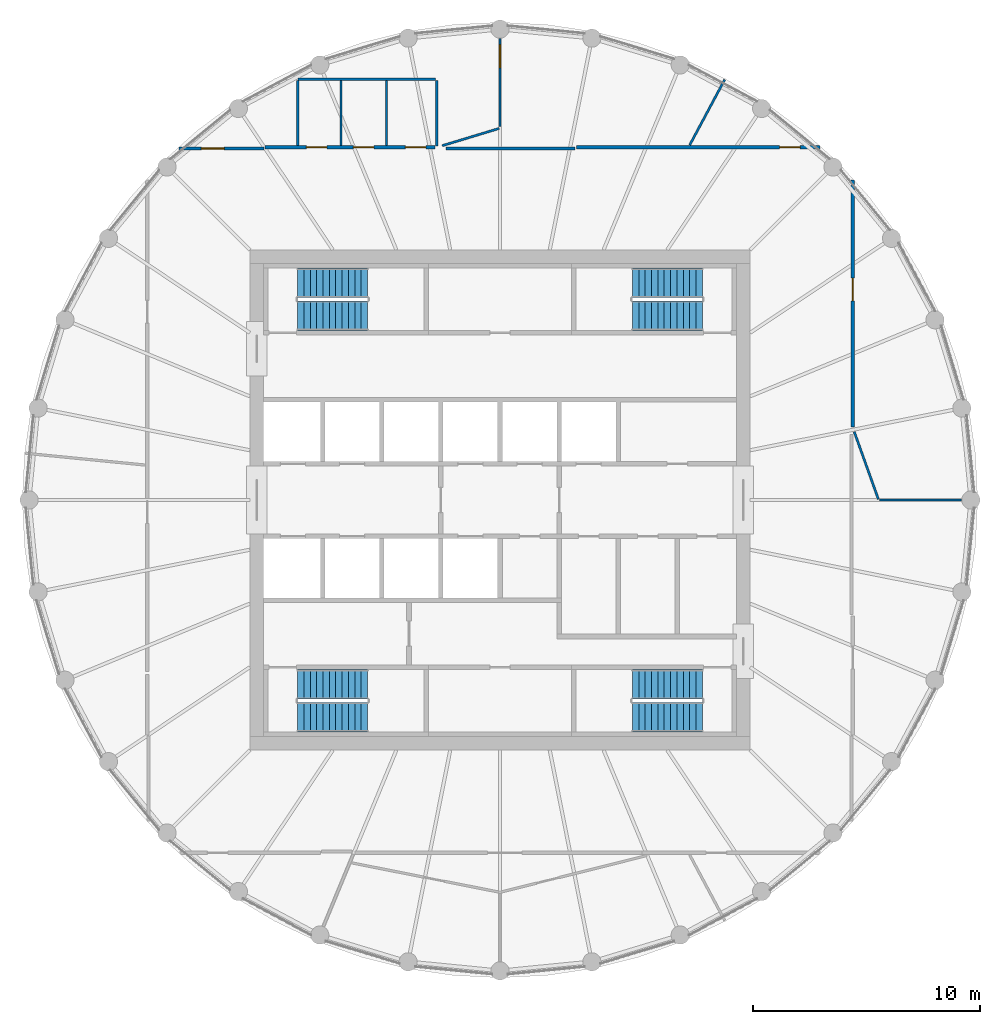
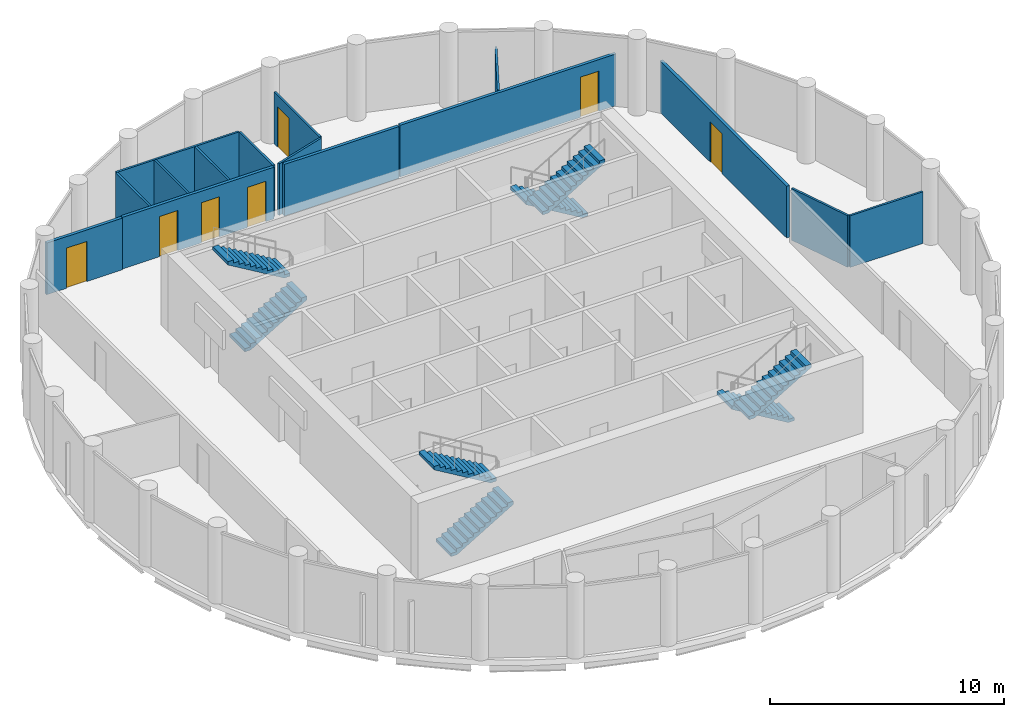
# One storey, part 6 of 7: 15 walls, 8 stair flights, 7 doors, 7 openings, 4 elements without a shape of their own.
"""IFC4 building model written with IfcOpenShell, lengths in metres."""

from ifc_helpers import new_model, si_unit, direction, frame, frame_2d, origin, place, context, subcontext, project, spatial, polyline, rectangle, outline, extrude, material, layer, layer_set, type_object, element, fill, aggregate, save


model = new_model("IFC4")

# Units and contexts
model_context = context("Model", 3, precision=1e-05, world=origin(), true_north=direction((0.0, 1.0)))
body_context = subcontext(model_context, "Body", "Model", "MODEL_VIEW")
ifc_project = project(units=[si_unit("LENGTHUNIT", "METRE"), si_unit("AREAUNIT", "SQUARE_METRE"), si_unit("VOLUMEUNIT", "CUBIC_METRE"), si_unit("PLANEANGLEUNIT", "RADIAN"), si_unit("MASSUNIT", "GRAM", prefix="KILO")], contexts=[model_context])

# Site, building, storey
site_placement = place(None, origin())
site = spatial("IfcSite", under=ifc_project, at=site_placement, CompositionType="ELEMENT")
building_placement = place(site_placement, origin())
building = spatial("IfcBuilding", under=site, at=building_placement, Name="Corvane Civic Tower", CompositionType="ELEMENT")
storey_placement = place(building_placement, frame((0.0, 0.0, 364.5)))
storey = spatial("IfcBuildingStorey", under=building, at=storey_placement, Name="L87", CompositionType="ELEMENT", Elevation=364.5)

# Walls
ifc_material_1 = material(Name="Plasterboard")
ifc_layer_1 = layer(ifc_material_1, 0.10009765625)
ifc_layer_set_1 = layer_set([ifc_layer_1], Name="Plasterboard")
wall_type_1 = type_object("IfcWallType", Name="Partition 100 plasterboard on studs", PredefinedType="PARTITIONING", material=ifc_layer_set_1)
wall_1_placement = place(storey_placement, frame((16.680419921875, 0.0, 0.0), z_axis=(0.0, 0.0, 1.0), x_axis=(1.0, 0.0, 0.0)))
element("IfcWall", 1, at=wall_1_placement, inside=storey, type_object=wall_type_1, Name="Partition L87.016", PredefinedType="PARTITIONING", context=body_context, shape_type="SweptSolid", body=[
    extrude(rectangle(XDim=3.609619140625, YDim=0.10009765625, at=frame_2d((1.8046875, 0.0))), origin(), (0.0, 0.0, 1.0), 2.699951171875),
])
wall_2_placement = place(storey_placement, frame((15.572021484375, 2.998779296875, 0.0), z_axis=(0.0, 0.0, 1.0), x_axis=(0.336940282259, -0.941526019922, 0.0)))
element("IfcWall", 2, at=wall_2_placement, inside=storey, type_object=wall_type_1, Name="Partition L87.017", PredefinedType="PARTITIONING", context=body_context, shape_type="SweptSolid", body=[
    extrude(rectangle(XDim=3.149658203125, YDim=0.10009765625, at=frame_2d((1.57470703125, 0.0))), origin(), (0.0, 0.0, 1.0), 2.699951171875),
])
for number, where, z_axis, x_axis, name in (
    (3, (-8.884521484375, 15.574951171875, 0.0), (0.0, 0.0, 1.0), (0.0, 1.0, 0.0), "Partition L87.024"),
    (4, (-6.984619140625, 15.574951171875, 0.0), (0.0, 0.0, 1.0), (0.0, 1.0, 0.0), "Partition L87.025"),
    (5, (-4.984619140625, 15.574951171875, 0.0), (0.0, 0.0, 1.0), (0.0, 1.0, 0.0), "Partition L87.026"),
):
    element("IfcWall", number, at=place(storey_placement, frame(where, z_axis=z_axis, x_axis=x_axis)), inside=storey, type_object=wall_type_1, Name=name, PredefinedType="PARTITIONING", context=body_context, shape_type="SweptSolid", body=[
        extrude(rectangle(XDim=2.875, YDim=0.10009765625, at=frame_2d((1.4375, 0.0))), origin(), (0.0, 0.0, 1.0), 2.699951171875),
    ])
wall_3_placement = place(storey_placement, frame((-2.784423828125, 15.5673828125, 0.0), z_axis=(0.0, 0.0, 1.0), x_axis=(0.0, 1.0, 0.0)))
element("IfcWall", 6, at=wall_3_placement, inside=storey, type_object=wall_type_1, Name="Partition L87.027", PredefinedType="PARTITIONING", context=body_context, shape_type="SweptSolid", body=[
    extrude(rectangle(XDim=2.882568359375, YDim=0.10009765625, at=frame_2d((1.44140625, 0.0))), origin(), (0.0, 0.0, 1.0), 2.699951171875),
])
wall_4_placement = place(storey_placement, frame((-2.54443359375, 15.57275390625, 0.0), z_axis=(0.0, 0.0, 1.0), x_axis=(0.956927243367, 0.290327833494, 0.0)))
element("IfcWall", 7, at=wall_4_placement, inside=storey, type_object=wall_type_1, Name="Partition L87.028", PredefinedType="PARTITIONING", context=body_context, shape_type="SweptSolid", body=[
    extrude(rectangle(XDim=2.6220703125, YDim=0.10009765625, at=frame_2d((1.31103515625, 0.0))), origin(), (0.0, 0.0, 1.0), 2.699951171875),
])
wall_5_placement = place(storey_placement, frame((8.337646484375, 15.5986328125, 0.0), z_axis=(0.0, 0.0, 1.0), x_axis=(0.471438475103, 0.881898953505, 0.0)))
element("IfcWall", 8, at=wall_5_placement, inside=storey, type_object=wall_type_1, Name="Partition L87.029", PredefinedType="PARTITIONING", context=body_context, shape_type="SweptSolid", body=[
    extrude(rectangle(XDim=3.262939453125, YDim=0.10009765625, at=frame_2d((1.63134765625, 0.0))), origin(), (0.0, 0.0, 1.0), 2.699951171875),
])

# Wall, opening, door
wall_6_placement = place(storey_placement, frame((0.0, 16.410888671875, 0.0), z_axis=(0.0, 0.0, 1.0), x_axis=(0.0, 1.0, 0.0)))
wall_6 = element("IfcWall", 9, at=wall_6_placement, inside=storey, type_object=wall_type_1, Name="Partition L87.030", PredefinedType="PARTITIONING", context=body_context, shape_type="SweptSolid", body=[
    extrude(rectangle(XDim=3.879150390625, YDim=0.10009765625, at=frame_2d((1.939453125, 0.0))), origin(), (0.0, 0.0, 1.0), 2.699951171875),
])
opening_1_placement = place(wall_6_placement, frame((2.5947265625, 0.0, 0.0)))
opening_1 = element("IfcOpeningElement", 10, at=opening_1_placement, cuts=wall_6, Name="Opening L87.005", PredefinedType="OPENING", context=body_context, shape_type="SweptSolid", body=[
    extrude(rectangle(XDim=1.0, YDim=2.10009765625, at=frame_2d((0.5, 1.050048828125))), frame((0.0, 0.06005859375, 0.0), z_axis=(0.0, -1.0, 0.0), x_axis=(1.0, 0.0, 0.0)), (0.0, 0.0, 1.0), 0.1201171875),
])
ifc_material_2 = material(Name="Timber", Category="wood")
door_type_1 = type_object("IfcDoorType", Name="Single door 1000", OperationType="NOTDEFINED", PredefinedType="DOOR", material=ifc_material_2)
door_1_placement = place(opening_1_placement, origin())
door_1 = element("IfcDoor", 11, at=door_1_placement, inside=storey, type_object=door_type_1, Name="Door L87.005", OperationType="SINGLE_SWING_LEFT", OverallHeight=2.10009765625, OverallWidth=1.0, PredefinedType="DOOR", context=body_context, shape_type="SweptSolid", body=[
    extrude(rectangle(XDim=1.0, YDim=2.10009765625, at=frame_2d((0.5, 1.050048828125))), frame((0.0, 0.02490234375, 0.0), z_axis=(0.0, -1.0, 0.0), x_axis=(1.0, 0.0, 0.0)), (0.0, 0.0, 1.0), 0.050048828125),
])
fill(opening_1, door_1)

# Wall
wall_7_placement = place(storey_placement, frame((-8.884521484375, 18.5, 0.0), z_axis=(0.0, 0.0, 1.0), x_axis=(1.0, 0.0, 0.0)))
element("IfcWall", 12, at=wall_7_placement, inside=storey, type_object=wall_type_1, Name="Partition L87.031", PredefinedType="PARTITIONING", context=body_context, shape_type="SweptSolid", body=[
    extrude(rectangle(XDim=6.050048828125, YDim=0.10009765625, at=frame_2d((3.02490234375, 0.0))), origin(), (0.0, 0.0, 1.0), 2.699951171875),
])

# Wall, opening, door
ifc_material_3 = material(Name="Plasterboard")
ifc_layer_2 = layer(ifc_material_3, 0.14990234375)
ifc_layer_set_2 = layer_set([ifc_layer_2], Name="Plasterboard")
wall_type_2 = type_object("IfcWallType", Name="Tenancy wall 150 EI 60", PredefinedType="PARTITIONING", material=ifc_layer_set_2)
wall_8_placement = place(storey_placement, frame((15.5, 3.213134765625, 0.0), z_axis=(0.0, 0.0, 1.0), x_axis=(0.0, 1.0, 0.0)))
wall_8 = element("IfcWall", 13, at=wall_8_placement, inside=storey, type_object=wall_type_2, Name="Partition L87.019", PredefinedType="PARTITIONING", context=body_context, shape_type="SweptSolid", body=[
    extrude(rectangle(XDim=10.843994140625, YDim=0.14990234375, at=frame_2d((5.421875, 0.0))), origin(), (0.0, 0.0, 1.0), 2.699951171875),
])
opening_2_placement = place(wall_8_placement, frame((5.536865234375, 0.0, 0.0)))
opening_2 = element("IfcOpeningElement", 14, at=opening_2_placement, cuts=wall_8, Name="Opening L87.010", PredefinedType="OPENING", context=body_context, shape_type="SweptSolid", body=[
    extrude(rectangle(XDim=1.0, YDim=2.10009765625, at=frame_2d((0.5, 1.050048828125))), frame((0.0, 0.0849609375, 0.0), z_axis=(0.0, -1.0, 0.0), x_axis=(1.0, 0.0, 0.0)), (0.0, 0.0, 1.0), 0.169921875),
])
ifc_material_4 = material(Name="Steel and timber", Category="steel")
door_type_2 = type_object("IfcDoorType", Name="Fire door FD30S 1000", OperationType="NOTDEFINED", PredefinedType="DOOR", material=ifc_material_4)
door_2_placement = place(opening_2_placement, frame((1.0, 0.0, 0.0), z_axis=(0.0, 0.0, 1.0), x_axis=(-1.0, 0.0, 0.0)))
door_2 = element("IfcDoor", 15, at=door_2_placement, inside=storey, type_object=door_type_2, Name="Door L87.010", OperationType="SINGLE_SWING_RIGHT", OverallHeight=2.10009765625, OverallWidth=1.0, PredefinedType="DOOR", context=body_context, shape_type="SweptSolid", body=[
    extrude(rectangle(XDim=1.0, YDim=2.10009765625, at=frame_2d((0.5, 1.050048828125))), frame((0.0, 0.02490234375, 0.0), z_axis=(0.0, -1.0, 0.0), x_axis=(1.0, 0.0, 0.0)), (0.0, 0.0, 1.0), 0.050048828125),
])
fill(opening_2, door_2)

wall_9_placement = place(storey_placement, frame((-14.1123046875, 15.449951171875, 0.0), z_axis=(0.0, 0.0, 1.0), x_axis=(1.0, 0.0, 0.0)))
wall_9 = element("IfcWall", 16, at=wall_9_placement, inside=storey, type_object=wall_type_2, Name="Partition L87.020", PredefinedType="PARTITIONING", context=body_context, shape_type="SweptSolid", body=[
    extrude(rectangle(XDim=3.7314453125, YDim=0.14990234375, at=frame_2d((1.86572265625, 0.0))), origin(), (0.0, 0.0, 1.0), 2.699951171875),
])
opening_3_placement = place(wall_9_placement, frame((0.9814453125, 0.0, 0.0)))
opening_3 = element("IfcOpeningElement", 17, at=opening_3_placement, cuts=wall_9, Name="Opening L87.004", PredefinedType="OPENING", context=body_context, shape_type="SweptSolid", body=[
    extrude(rectangle(XDim=1.0, YDim=2.10009765625, at=frame_2d((0.5, 1.050048828125))), frame((0.0, 0.0849609375, 0.0), z_axis=(0.0, -1.0, 0.0), x_axis=(1.0, 0.0, 0.0)), (0.0, 0.0, 1.0), 0.169921875),
])
door_3_placement = place(opening_3_placement, origin())
door_3 = element("IfcDoor", 18, at=door_3_placement, inside=storey, type_object=door_type_2, Name="Door L87.004", OperationType="SINGLE_SWING_RIGHT", OverallHeight=2.10009765625, OverallWidth=1.0, PredefinedType="DOOR", context=body_context, shape_type="SweptSolid", body=[
    extrude(rectangle(XDim=1.0, YDim=2.10009765625, at=frame_2d((0.5, 1.050048828125))), frame((0.0, 0.02490234375, 0.0), z_axis=(0.0, -1.0, 0.0), x_axis=(1.0, 0.0, 0.0)), (0.0, 0.0, 1.0), 0.050048828125),
])
fill(opening_3, door_3)

# Wall
wall_10_placement = place(storey_placement, frame((-2.370361328125, 15.449951171875, 0.0), z_axis=(0.0, 0.0, 1.0), x_axis=(1.0, 0.0, 0.0)))
element("IfcWall", 19, at=wall_10_placement, inside=storey, type_object=wall_type_2, Name="Partition L87.021", PredefinedType="PARTITIONING", context=body_context, shape_type="SweptSolid", body=[
    extrude(rectangle(XDim=5.66015625, YDim=0.14990234375, at=frame_2d((2.830078125, 0.0))), origin(), (0.0, 0.0, 1.0), 2.699951171875),
])

# Wall, openings, doors
wall_11_placement = place(storey_placement, frame((-10.330810546875, 15.5, 0.0), z_axis=(0.0, 0.0, 1.0), x_axis=(1.0, 0.0, 0.0)))
wall_11 = element("IfcWall", 20, at=wall_11_placement, inside=storey, type_object=wall_type_2, Name="Partition L87.022", PredefinedType="PARTITIONING", context=body_context, shape_type="SweptSolid", body=[
    extrude(rectangle(XDim=7.47119140625, YDim=0.14990234375, at=frame_2d((3.735595703125, 0.0))), origin(), (0.0, 0.0, 1.0), 2.699951171875),
])
opening_4_placement = place(wall_11_placement, frame((6.174072265625, 0.0, 0.0)))
opening_4 = element("IfcOpeningElement", 21, at=opening_4_placement, cuts=wall_11, Name="Opening L87.006", PredefinedType="OPENING", context=body_context, shape_type="SweptSolid", body=[
    extrude(rectangle(XDim=0.89990234375, YDim=2.10009765625, at=frame_2d((0.449951171875, 1.050048828125))), frame((0.0, 0.0849609375, 0.0), z_axis=(0.0, -1.0, 0.0), x_axis=(1.0, 0.0, 0.0)), (0.0, 0.0, 1.0), 0.169921875),
])
opening_5_placement = place(wall_11_placement, frame((3.8837890625, 0.0, 0.0)))
opening_5 = element("IfcOpeningElement", 22, at=opening_5_placement, cuts=wall_11, Name="Opening L87.007", PredefinedType="OPENING", context=body_context, shape_type="SweptSolid", body=[
    extrude(rectangle(XDim=0.89990234375, YDim=2.10009765625, at=frame_2d((0.449951171875, 1.050048828125))), frame((0.0, 0.0849609375, 0.0), z_axis=(0.0, -1.0, 0.0), x_axis=(1.0, 0.0, 0.0)), (0.0, 0.0, 1.0), 0.169921875),
])
opening_6_placement = place(wall_11_placement, frame((1.822509765625, 0.0, 0.0)))
opening_6 = element("IfcOpeningElement", 23, at=opening_6_placement, cuts=wall_11, Name="Opening L87.008", PredefinedType="OPENING", context=body_context, shape_type="SweptSolid", body=[
    extrude(rectangle(XDim=0.89990234375, YDim=2.10009765625, at=frame_2d((0.449951171875, 1.050048828125))), frame((0.0, 0.0849609375, 0.0), z_axis=(0.0, -1.0, 0.0), x_axis=(1.0, 0.0, 0.0)), (0.0, 0.0, 1.0), 0.169921875),
])
ifc_material_5 = material(Name="Steel and timber", Category="steel")
door_type_3 = type_object("IfcDoorType", Name="Fire door FD30S 900", OperationType="NOTDEFINED", PredefinedType="DOOR", material=ifc_material_5)
door_4_placement = place(opening_4_placement, origin())
door_4 = element("IfcDoor", 24, at=door_4_placement, inside=storey, type_object=door_type_3, Name="Door L87.006", OperationType="SINGLE_SWING_LEFT", OverallHeight=2.10009765625, OverallWidth=0.89990234375, PredefinedType="DOOR", context=body_context, shape_type="SweptSolid", body=[
    extrude(rectangle(XDim=0.89990234375, YDim=2.10009765625, at=frame_2d((0.449951171875, 1.050048828125))), frame((0.0, 0.02490234375, 0.0), z_axis=(0.0, -1.0, 0.0), x_axis=(1.0, 0.0, 0.0)), (0.0, 0.0, 1.0), 0.050048828125),
])
fill(opening_4, door_4)
door_5_placement = place(opening_5_placement, origin())
door_5 = element("IfcDoor", 25, at=door_5_placement, inside=storey, type_object=door_type_3, Name="Door L87.007", OperationType="SINGLE_SWING_RIGHT", OverallHeight=2.10009765625, OverallWidth=0.89990234375, PredefinedType="DOOR", context=body_context, shape_type="SweptSolid", body=[
    extrude(rectangle(XDim=0.89990234375, YDim=2.10009765625, at=frame_2d((0.449951171875, 1.050048828125))), frame((0.0, 0.02490234375, 0.0), z_axis=(0.0, -1.0, 0.0), x_axis=(1.0, 0.0, 0.0)), (0.0, 0.0, 1.0), 0.050048828125),
])
fill(opening_5, door_5)
door_6_placement = place(opening_6_placement, origin())
door_6 = element("IfcDoor", 26, at=door_6_placement, inside=storey, type_object=door_type_3, Name="Door L87.008", OperationType="SINGLE_SWING_LEFT", OverallHeight=2.10009765625, OverallWidth=0.89990234375, PredefinedType="DOOR", context=body_context, shape_type="SweptSolid", body=[
    extrude(rectangle(XDim=0.89990234375, YDim=2.10009765625, at=frame_2d((0.449951171875, 1.050048828125))), frame((0.0, 0.02490234375, 0.0), z_axis=(0.0, -1.0, 0.0), x_axis=(1.0, 0.0, 0.0)), (0.0, 0.0, 1.0), 0.050048828125),
])
fill(opening_6, door_6)

# Wall, opening, door
wall_12_placement = place(storey_placement, frame((3.3720703125, 15.5, 0.0), z_axis=(0.0, 0.0, 1.0), x_axis=(1.0, 0.0, 0.0)))
wall_12 = element("IfcWall", 27, at=wall_12_placement, inside=storey, type_object=wall_type_2, Name="Partition L87.023", PredefinedType="PARTITIONING", context=body_context, shape_type="SweptSolid", body=[
    extrude(rectangle(XDim=10.68505859375, YDim=0.14990234375, at=frame_2d((5.342529296875, 0.0))), origin(), (0.0, 0.0, 1.0), 2.699951171875),
])
opening_7_placement = place(wall_12_placement, frame((8.92431640625, 0.0, 0.0)))
opening_7 = element("IfcOpeningElement", 28, at=opening_7_placement, cuts=wall_12, Name="Opening L87.009", PredefinedType="OPENING", context=body_context, shape_type="SweptSolid", body=[
    extrude(rectangle(XDim=0.89990234375, YDim=2.10009765625, at=frame_2d((0.449951171875, 1.050048828125))), frame((0.0, 0.0849609375, 0.0), z_axis=(0.0, -1.0, 0.0), x_axis=(1.0, 0.0, 0.0)), (0.0, 0.0, 1.0), 0.169921875),
])
door_7_placement = place(opening_7_placement, origin())
door_7 = element("IfcDoor", 29, at=door_7_placement, inside=storey, type_object=door_type_3, Name="Door L87.009", OperationType="SINGLE_SWING_LEFT", OverallHeight=2.10009765625, OverallWidth=0.89990234375, PredefinedType="DOOR", context=body_context, shape_type="SweptSolid", body=[
    extrude(rectangle(XDim=0.89990234375, YDim=2.10009765625, at=frame_2d((0.449951171875, 1.050048828125))), frame((0.0, 0.02490234375, 0.0), z_axis=(0.0, -1.0, 0.0), x_axis=(1.0, 0.0, 0.0)), (0.0, 0.0, 1.0), 0.050048828125),
])
fill(opening_7, door_7)

# Stair, stair flights
ifc_material_6 = material(Name="Concrete C40/50", Category="concrete")
stair_type = type_object("IfcStairType", Name="ST-STAIR-HALFTURN", PredefinedType="HALF_TURN_STAIR", material=ifc_material_6)
stair_1_placement = place(storey_placement, origin())
stair_1 = element("IfcStair", 30, at=stair_1_placement, inside=storey, type_object=stair_type, Name="L87 Exit stair ST1", PredefinedType="HALF_TURN_STAIR")
ifc_material_7 = material(Name="Concrete C40/50", Category="concrete")
stair_flight_type = type_object("IfcStairFlightType", Name="ST-FLIGHT-RC", PredefinedType="STRAIGHT", material=ifc_material_7)
stair_flight_1_placement = place(storey_placement, frame((8.89990234375, 9.550048828125, 0.0), z_axis=(0.0, 0.0, 1.0), x_axis=(-1.0, 0.0, 0.0)))
stair_flight_1 = element("IfcStairFlight", 31, at=stair_flight_1_placement, type_object=stair_flight_type, Name="ST1 flight 1", NumberOfRisers=12, NumberOfTreads=11, PredefinedType="STRAIGHT", RiserHeight=0.166666667, TreadLength=0.28, context=body_context, shape_type="SweptSolid", body=[
    extrude(outline(polyline([(0.0, 0.0), (0.0, 0.166748046875), (0.280029296875, 0.166748046875), (0.280029296875, 0.333251953125), (0.56005859375, 0.333251953125), (0.56005859375, 0.5), (0.840087890625, 0.5), (0.840087890625, 0.666748046875), (1.1201171875, 0.666748046875), (1.1201171875, 0.833251953125), (1.39990234375, 0.833251953125), (1.39990234375, 1.0), (1.679931640625, 1.0), (1.679931640625, 1.166748046875), (1.9599609375, 1.166748046875), (1.9599609375, 1.333251953125), (2.239990234375, 1.333251953125), (2.239990234375, 1.5), (2.52001953125, 1.5), (2.52001953125, 1.666748046875), (2.800048828125, 1.666748046875), (2.800048828125, 1.833251953125), (3.080078125, 1.833251953125), (3.080078125, 2.0), (3.080078125, 1.658935546875), (0.29296875, 0.0), (0.0, 0.0)])), frame((0.0, 0.64990234375, 0.0), z_axis=(0.0, -1.0, 0.0), x_axis=(1.0, 0.0, 0.0)), (0.0, 0.0, 1.0), 1.300048828125),
])
stair_flight_2_placement = place(storey_placement, frame((5.820068359375, 8.10009765625, 2.0), z_axis=(0.0, 0.0, 1.0), x_axis=(1.0, 0.0, 0.0)))
stair_flight_2 = element("IfcStairFlight", 32, at=stair_flight_2_placement, type_object=stair_flight_type, Name="ST1 flight 2", NumberOfRisers=12, NumberOfTreads=11, PredefinedType="STRAIGHT", RiserHeight=0.166666667, TreadLength=0.28, context=body_context, shape_type="SweptSolid", body=[
    extrude(outline(polyline([(0.0, 0.0), (0.0, 0.166748046875), (0.280029296875, 0.166748046875), (0.280029296875, 0.333251953125), (0.56005859375, 0.333251953125), (0.56005859375, 0.5), (0.840087890625, 0.5), (0.840087890625, 0.666748046875), (1.1201171875, 0.666748046875), (1.1201171875, 0.833251953125), (1.39990234375, 0.833251953125), (1.39990234375, 1.0), (1.679931640625, 1.0), (1.679931640625, 1.166748046875), (1.9599609375, 1.166748046875), (1.9599609375, 1.333251953125), (2.239990234375, 1.333251953125), (2.239990234375, 1.5), (2.52001953125, 1.5), (2.52001953125, 1.666748046875), (2.800048828125, 1.666748046875), (2.800048828125, 1.833251953125), (3.080078125, 1.833251953125), (3.080078125, 2.0), (3.080078125, 1.658935546875), (0.29296875, 0.0), (0.0, 0.0)])), frame((0.0, 0.64990234375, 0.0), z_axis=(0.0, -1.0, 0.0), x_axis=(1.0, 0.0, 0.0)), (0.0, 0.0, 1.0), 1.300048828125),
])
aggregate(stair_1, [stair_flight_1, stair_flight_2])

stair_2_placement = place(storey_placement, origin())
stair_2 = element("IfcStair", 33, at=stair_2_placement, inside=storey, type_object=stair_type, Name="L87 Exit stair ST2", PredefinedType="HALF_TURN_STAIR")
stair_flight_3_placement = place(storey_placement, frame((8.89990234375, -8.10009765625, 0.0), z_axis=(0.0, 0.0, 1.0), x_axis=(-1.0, 0.0, 0.0)))
stair_flight_3 = element("IfcStairFlight", 34, at=stair_flight_3_placement, type_object=stair_flight_type, Name="ST2 flight 1", NumberOfRisers=12, NumberOfTreads=11, PredefinedType="STRAIGHT", RiserHeight=0.166666667, TreadLength=0.28, context=body_context, shape_type="SweptSolid", body=[
    extrude(outline(polyline([(0.0, 0.0), (0.0, 0.166748046875), (0.280029296875, 0.166748046875), (0.280029296875, 0.333251953125), (0.56005859375, 0.333251953125), (0.56005859375, 0.5), (0.840087890625, 0.5), (0.840087890625, 0.666748046875), (1.1201171875, 0.666748046875), (1.1201171875, 0.833251953125), (1.39990234375, 0.833251953125), (1.39990234375, 1.0), (1.679931640625, 1.0), (1.679931640625, 1.166748046875), (1.9599609375, 1.166748046875), (1.9599609375, 1.333251953125), (2.239990234375, 1.333251953125), (2.239990234375, 1.5), (2.52001953125, 1.5), (2.52001953125, 1.666748046875), (2.800048828125, 1.666748046875), (2.800048828125, 1.833251953125), (3.080078125, 1.833251953125), (3.080078125, 2.0), (3.080078125, 1.658935546875), (0.29296875, 0.0), (0.0, 0.0)])), frame((0.0, 0.64990234375, 0.0), z_axis=(0.0, -1.0, 0.0), x_axis=(1.0, 0.0, 0.0)), (0.0, 0.0, 1.0), 1.300048828125),
])
stair_flight_4_placement = place(storey_placement, frame((5.820068359375, -9.550048828125, 2.0), z_axis=(0.0, 0.0, 1.0), x_axis=(1.0, 0.0, 0.0)))
stair_flight_4 = element("IfcStairFlight", 35, at=stair_flight_4_placement, type_object=stair_flight_type, Name="ST2 flight 2", NumberOfRisers=12, NumberOfTreads=11, PredefinedType="STRAIGHT", RiserHeight=0.166666667, TreadLength=0.28, context=body_context, shape_type="SweptSolid", body=[
    extrude(outline(polyline([(0.0, 0.0), (0.0, 0.166748046875), (0.280029296875, 0.166748046875), (0.280029296875, 0.333251953125), (0.56005859375, 0.333251953125), (0.56005859375, 0.5), (0.840087890625, 0.5), (0.840087890625, 0.666748046875), (1.1201171875, 0.666748046875), (1.1201171875, 0.833251953125), (1.39990234375, 0.833251953125), (1.39990234375, 1.0), (1.679931640625, 1.0), (1.679931640625, 1.166748046875), (1.9599609375, 1.166748046875), (1.9599609375, 1.333251953125), (2.239990234375, 1.333251953125), (2.239990234375, 1.5), (2.52001953125, 1.5), (2.52001953125, 1.666748046875), (2.800048828125, 1.666748046875), (2.800048828125, 1.833251953125), (3.080078125, 1.833251953125), (3.080078125, 2.0), (3.080078125, 1.658935546875), (0.29296875, 0.0), (0.0, 0.0)])), frame((0.0, 0.64990234375, 0.0), z_axis=(0.0, -1.0, 0.0), x_axis=(1.0, 0.0, 0.0)), (0.0, 0.0, 1.0), 1.300048828125),
])
aggregate(stair_2, [stair_flight_3, stair_flight_4])

stair_3_placement = place(storey_placement, origin())
stair_3 = element("IfcStair", 36, at=stair_3_placement, inside=storey, type_object=stair_type, Name="L87 Exit stair ST3", PredefinedType="HALF_TURN_STAIR")
stair_flight_5_placement = place(storey_placement, frame((-8.89990234375, -9.550048828125, 0.0), z_axis=(0.0, 0.0, 1.0), x_axis=(1.0, 0.0, 0.0)))
stair_flight_5 = element("IfcStairFlight", 37, at=stair_flight_5_placement, type_object=stair_flight_type, Name="ST3 flight 1", NumberOfRisers=12, NumberOfTreads=11, PredefinedType="STRAIGHT", RiserHeight=0.166666667, TreadLength=0.28, context=body_context, shape_type="SweptSolid", body=[
    extrude(outline(polyline([(0.0, 0.0), (0.0, 0.166748046875), (0.280029296875, 0.166748046875), (0.280029296875, 0.333251953125), (0.56005859375, 0.333251953125), (0.56005859375, 0.5), (0.840087890625, 0.5), (0.840087890625, 0.666748046875), (1.1201171875, 0.666748046875), (1.1201171875, 0.833251953125), (1.39990234375, 0.833251953125), (1.39990234375, 1.0), (1.679931640625, 1.0), (1.679931640625, 1.166748046875), (1.9599609375, 1.166748046875), (1.9599609375, 1.333251953125), (2.239990234375, 1.333251953125), (2.239990234375, 1.5), (2.52001953125, 1.5), (2.52001953125, 1.666748046875), (2.800048828125, 1.666748046875), (2.800048828125, 1.833251953125), (3.080078125, 1.833251953125), (3.080078125, 2.0), (3.080078125, 1.658935546875), (0.29296875, 0.0), (0.0, 0.0)])), frame((0.0, 0.64990234375, 0.0), z_axis=(0.0, -1.0, 0.0), x_axis=(1.0, 0.0, 0.0)), (0.0, 0.0, 1.0), 1.300048828125),
])
stair_flight_6_placement = place(storey_placement, frame((-5.820068359375, -8.10009765625, 2.0), z_axis=(0.0, 0.0, 1.0), x_axis=(-1.0, 0.0, 0.0)))
stair_flight_6 = element("IfcStairFlight", 38, at=stair_flight_6_placement, type_object=stair_flight_type, Name="ST3 flight 2", NumberOfRisers=12, NumberOfTreads=11, PredefinedType="STRAIGHT", RiserHeight=0.166666667, TreadLength=0.28, context=body_context, shape_type="SweptSolid", body=[
    extrude(outline(polyline([(0.0, 0.0), (0.0, 0.166748046875), (0.280029296875, 0.166748046875), (0.280029296875, 0.333251953125), (0.56005859375, 0.333251953125), (0.56005859375, 0.5), (0.840087890625, 0.5), (0.840087890625, 0.666748046875), (1.1201171875, 0.666748046875), (1.1201171875, 0.833251953125), (1.39990234375, 0.833251953125), (1.39990234375, 1.0), (1.679931640625, 1.0), (1.679931640625, 1.166748046875), (1.9599609375, 1.166748046875), (1.9599609375, 1.333251953125), (2.239990234375, 1.333251953125), (2.239990234375, 1.5), (2.52001953125, 1.5), (2.52001953125, 1.666748046875), (2.800048828125, 1.666748046875), (2.800048828125, 1.833251953125), (3.080078125, 1.833251953125), (3.080078125, 2.0), (3.080078125, 1.658935546875), (0.29296875, 0.0), (0.0, 0.0)])), frame((0.0, 0.64990234375, 0.0), z_axis=(0.0, -1.0, 0.0), x_axis=(1.0, 0.0, 0.0)), (0.0, 0.0, 1.0), 1.300048828125),
])
aggregate(stair_3, [stair_flight_5, stair_flight_6])

stair_4_placement = place(storey_placement, origin())
stair_4 = element("IfcStair", 39, at=stair_4_placement, inside=storey, type_object=stair_type, Name="L87 Exit stair ST4", PredefinedType="HALF_TURN_STAIR")
stair_flight_7_placement = place(storey_placement, frame((-8.89990234375, 8.10009765625, 0.0), z_axis=(0.0, 0.0, 1.0), x_axis=(1.0, 0.0, 0.0)))
stair_flight_7 = element("IfcStairFlight", 40, at=stair_flight_7_placement, type_object=stair_flight_type, Name="ST4 flight 1", NumberOfRisers=12, NumberOfTreads=11, PredefinedType="STRAIGHT", RiserHeight=0.166666667, TreadLength=0.28, context=body_context, shape_type="SweptSolid", body=[
    extrude(outline(polyline([(0.0, 0.0), (0.0, 0.166748046875), (0.280029296875, 0.166748046875), (0.280029296875, 0.333251953125), (0.56005859375, 0.333251953125), (0.56005859375, 0.5), (0.840087890625, 0.5), (0.840087890625, 0.666748046875), (1.1201171875, 0.666748046875), (1.1201171875, 0.833251953125), (1.39990234375, 0.833251953125), (1.39990234375, 1.0), (1.679931640625, 1.0), (1.679931640625, 1.166748046875), (1.9599609375, 1.166748046875), (1.9599609375, 1.333251953125), (2.239990234375, 1.333251953125), (2.239990234375, 1.5), (2.52001953125, 1.5), (2.52001953125, 1.666748046875), (2.800048828125, 1.666748046875), (2.800048828125, 1.833251953125), (3.080078125, 1.833251953125), (3.080078125, 2.0), (3.080078125, 1.658935546875), (0.29296875, 0.0), (0.0, 0.0)])), frame((0.0, 0.64990234375, 0.0), z_axis=(0.0, -1.0, 0.0), x_axis=(1.0, 0.0, 0.0)), (0.0, 0.0, 1.0), 1.300048828125),
])
stair_flight_8_placement = place(storey_placement, frame((-5.820068359375, 9.550048828125, 2.0), z_axis=(0.0, 0.0, 1.0), x_axis=(-1.0, 0.0, 0.0)))
stair_flight_8 = element("IfcStairFlight", 41, at=stair_flight_8_placement, type_object=stair_flight_type, Name="ST4 flight 2", NumberOfRisers=12, NumberOfTreads=11, PredefinedType="STRAIGHT", RiserHeight=0.166666667, TreadLength=0.28, context=body_context, shape_type="SweptSolid", body=[
    extrude(outline(polyline([(0.0, 0.0), (0.0, 0.166748046875), (0.280029296875, 0.166748046875), (0.280029296875, 0.333251953125), (0.56005859375, 0.333251953125), (0.56005859375, 0.5), (0.840087890625, 0.5), (0.840087890625, 0.666748046875), (1.1201171875, 0.666748046875), (1.1201171875, 0.833251953125), (1.39990234375, 0.833251953125), (1.39990234375, 1.0), (1.679931640625, 1.0), (1.679931640625, 1.166748046875), (1.9599609375, 1.166748046875), (1.9599609375, 1.333251953125), (2.239990234375, 1.333251953125), (2.239990234375, 1.5), (2.52001953125, 1.5), (2.52001953125, 1.666748046875), (2.800048828125, 1.666748046875), (2.800048828125, 1.833251953125), (3.080078125, 1.833251953125), (3.080078125, 2.0), (3.080078125, 1.658935546875), (0.29296875, 0.0), (0.0, 0.0)])), frame((0.0, 0.64990234375, 0.0), z_axis=(0.0, -1.0, 0.0), x_axis=(1.0, 0.0, 0.0)), (0.0, 0.0, 1.0), 1.300048828125),
])
aggregate(stair_4, [stair_flight_7, stair_flight_8])

save(model, "model.ifc")
